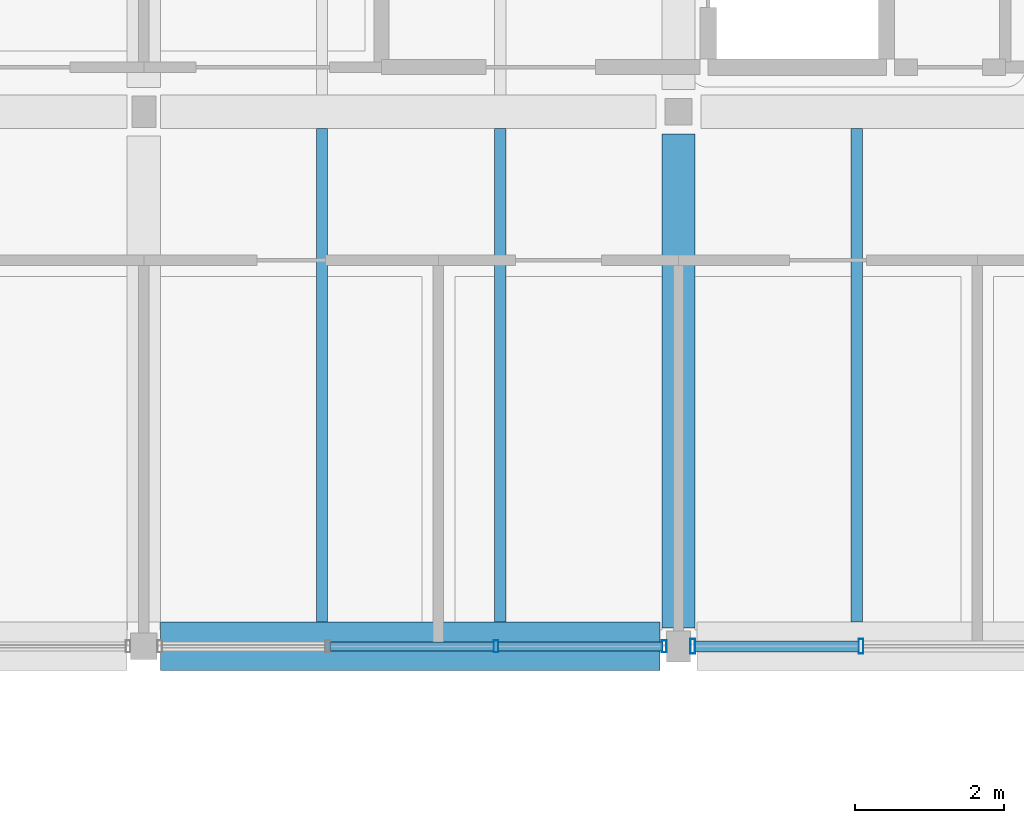
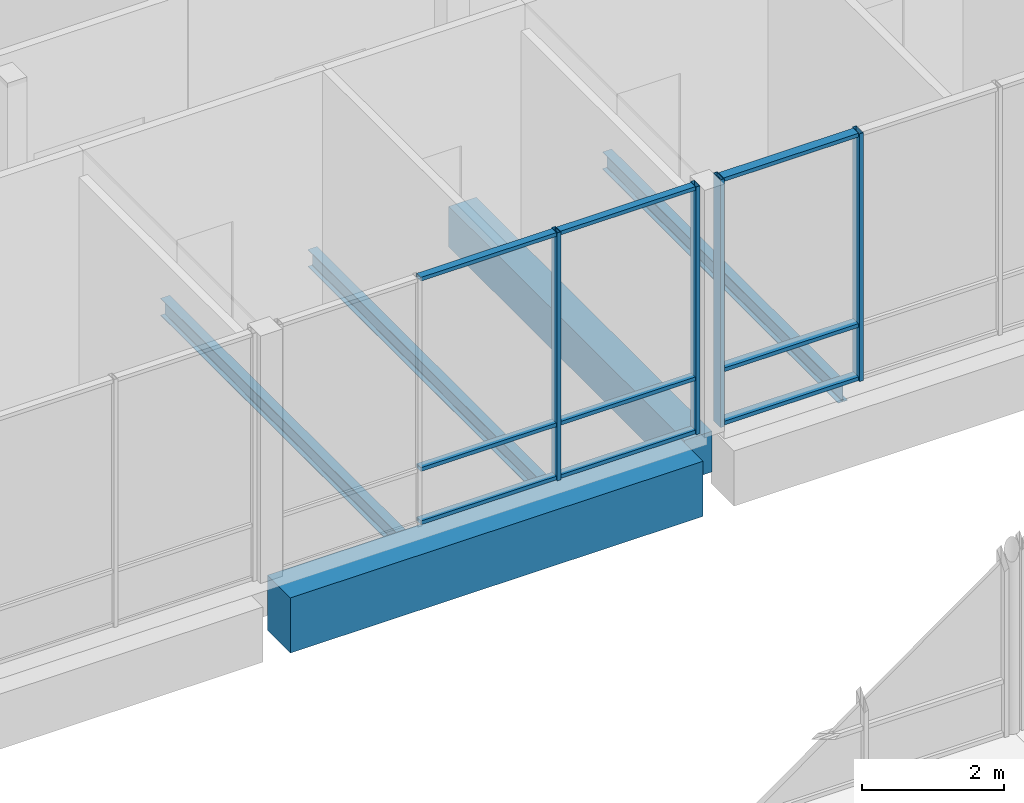
# One storey, part 48 of 146: 13 members, 5 beams, 2 elements without a shape of their own.
"""IFC4 building model written with IfcOpenShell, lengths in metres."""

from ifc_helpers import new_model, si_unit, direction, frame, origin, origin_2d, place, context, subcontext, project, spatial, rectangle, hollow_rectangle, i_section, extrude, material, material_profile, profile_set, type_object, element, aggregate, save


model = new_model("IFC4")

# Units and contexts
model_context = context("Model", 3, precision=1e-05, world=origin(), true_north=direction((0.0, 1.0)))
body_context = subcontext(model_context, "Body", "Model", "MODEL_VIEW")
ifc_project = project(units=[si_unit("LENGTHUNIT", "METRE"), si_unit("AREAUNIT", "SQUARE_METRE"), si_unit("VOLUMEUNIT", "CUBIC_METRE"), si_unit("PLANEANGLEUNIT", "RADIAN"), si_unit("MASSUNIT", "GRAM", prefix="KILO")], contexts=[model_context])

# Site, building, storey
site_placement = place(None, origin())
site = spatial("IfcSite", under=ifc_project, at=site_placement, CompositionType="ELEMENT")
building_placement = place(site_placement, origin())
building = spatial("IfcBuilding", under=site, at=building_placement, Name="Hawrajan Terrace Health Centre", CompositionType="ELEMENT")
storey_placement = place(building_placement, frame((0.0, 0.0, 4.5)))
storey = spatial("IfcBuildingStorey", under=building, at=storey_placement, Name="L01", CompositionType="ELEMENT", Elevation=4.5)

# Curtain wall, members
ifc_material_1 = material(Name="Anodized bronze aluminium and low-E solar glazing", Category="aluminium")
curtain_wall_type_1 = type_object("IfcCurtainWallType", Name="CW_Diagnostic_SeriesM2", PredefinedType="USERDEFINED", material=ifc_material_1)
curtain_wall_1_placement = place(storey_placement, origin())
curtain_wall_1 = element("IfcCurtainWall", 1, at=curtain_wall_1_placement, inside=storey, type_object=curtain_wall_type_1, Name="Curtain wall CW-L01-072", ObjectType="UNITISED CURTAIN WALL", PredefinedType="USERDEFINED")
ifc_material_2 = material(Name="Anodized bronze aluminium 6063-T6", Category="aluminium")
ifc_material_profile_1 = material_profile(ifc_material_2, hollow_rectangle(XDim=0.06494140625, YDim=0.159912109375, WallThickness=0.00390625, at=origin_2d()), Name="CW MUL 65x160")
ifc_profile_set_1 = profile_set([ifc_material_profile_1], Name="Anodized bronze aluminium 6063-T6")
member_type_1 = type_object("IfcMemberType", Name="CWMullion_65x160", PredefinedType="MULLION", material=ifc_profile_set_1)
member_1_placement = place(storey_placement, frame((45.342529296875, 45.39990234375, -0.0048828125), z_axis=(0.0, 0.0, 1.0), x_axis=(1.0, 0.0, 0.0)))
member_1 = element("IfcMember", 2, at=member_1_placement, type_object=member_type_1, Name="Mullion CW-L01-072-M3", PredefinedType="MULLION", context=body_context, shape_type="SweptSolid", body=[
    extrude(hollow_rectangle(XDim=0.06494140625, YDim=0.159912109375, WallThickness=0.00390625, at=origin_2d()), origin(), (0.0, 0.0, 1.0), 4.269775390625),
])
member_2_placement = place(storey_placement, frame((47.607421875, 45.39990234375, -0.0048828125), z_axis=(0.0, 0.0, 1.0), x_axis=(1.0, 0.0, 0.0)))
member_2 = element("IfcMember", 3, at=member_2_placement, type_object=member_type_1, Name="Mullion CW-L01-072-M4", PredefinedType="MULLION", context=body_context, shape_type="SweptSolid", body=[
    extrude(hollow_rectangle(XDim=0.06494140625, YDim=0.159912109375, WallThickness=0.00390625, at=origin_2d()), origin(), (0.0, 0.0, 1.0), 4.269775390625),
])

curtain_wall_type_2 = type_object("IfcCurtainWallType", Name="CW_Court_SeriesB1", PredefinedType="USERDEFINED", material=ifc_material_1)
curtain_wall_2_placement = place(storey_placement, origin())
curtain_wall_2 = element("IfcCurtainWall", 4, at=curtain_wall_2_placement, inside=storey, type_object=curtain_wall_type_2, Name="Curtain wall CW-L01-076", ObjectType="UNITISED CURTAIN WALL", PredefinedType="USERDEFINED")
ifc_material_profile_2 = material_profile(ifc_material_2, hollow_rectangle(XDim=0.06494140625, YDim=0.199951171875, WallThickness=0.00439453125, at=origin_2d()), Name="CW MUL 65x200")
ifc_profile_set_2 = profile_set([ifc_material_profile_2], Name="Anodized bronze aluminium 6063-T6")
member_type_2 = type_object("IfcMemberType", Name="CWMullion_65x200", PredefinedType="MULLION", material=ifc_profile_set_2)
member_3_placement = place(storey_placement, frame((47.992431640625, 45.39990234375, -0.0048828125), z_axis=(0.0, 0.0, 1.0), x_axis=(1.0, 0.0, 0.0)))
member_3 = element("IfcMember", 5, at=member_3_placement, type_object=member_type_2, Name="Mullion CW-L01-076-M1", PredefinedType="MULLION", context=body_context, shape_type="SweptSolid", body=[
    extrude(hollow_rectangle(XDim=0.06494140625, YDim=0.199951171875, WallThickness=0.00439453125, at=origin_2d()), origin(), (0.0, 0.0, 1.0), 4.269775390625),
])
member_4_placement = place(storey_placement, frame((50.257568359375, 45.39990234375, -0.0048828125), z_axis=(0.0, 0.0, 1.0), x_axis=(1.0, 0.0, 0.0)))
member_4 = element("IfcMember", 6, at=member_4_placement, type_object=member_type_2, Name="Mullion CW-L01-076-M2", PredefinedType="MULLION", context=body_context, shape_type="SweptSolid", body=[
    extrude(hollow_rectangle(XDim=0.06494140625, YDim=0.199951171875, WallThickness=0.00439453125, at=origin_2d()), origin(), (0.0, 0.0, 1.0), 4.269775390625),
])

# Member
ifc_material_profile_3 = material_profile(ifc_material_2, hollow_rectangle(XDim=0.06494140625, YDim=0.1201171875, WallThickness=0.00341796875, at=origin_2d()), Name="CW TRN 65x120")
ifc_profile_set_3 = profile_set([ifc_material_profile_3], Name="Anodized bronze aluminium 6063-T6")
member_type_3 = type_object("IfcMemberType", Name="CWTransom_65x120", PredefinedType="USERDEFINED", material=ifc_profile_set_3)
member_5_placement = place(storey_placement, frame((43.10400390625, 45.39990234375, 0.032470703125), z_axis=(1.0, 0.0, 0.0), x_axis=(0.0, 0.0, 1.0)))
member_5 = element("IfcMember", 7, at=member_5_placement, type_object=member_type_3, Name="Transom CW-L01-072-T2-1", ObjectType="TRANSOM", PredefinedType="USERDEFINED", context=body_context, shape_type="SweptSolid", body=[
    extrude(hollow_rectangle(XDim=0.06494140625, YDim=0.1201171875, WallThickness=0.00341796875, at=origin_2d()), origin(), (0.0, 0.0, 1.0), 2.2119140625),
])

member_6_placement = place(storey_placement, frame((43.10400390625, 45.39990234375, 0.949951171875), z_axis=(1.0, 0.0, 0.0), x_axis=(0.0, 0.0, 1.0)))
member_6 = element("IfcMember", 8, at=member_6_placement, type_object=member_type_3, Name="Transom CW-L01-072-T2-2", ObjectType="TRANSOM", PredefinedType="USERDEFINED", context=body_context, shape_type="SweptSolid", body=[
    extrude(hollow_rectangle(XDim=0.06494140625, YDim=0.1201171875, WallThickness=0.00341796875, at=origin_2d()), origin(), (0.0, 0.0, 1.0), 2.2119140625),
])

member_7_placement = place(storey_placement, frame((43.10400390625, 45.39990234375, 4.2275390625), z_axis=(1.0, 0.0, 0.0), x_axis=(0.0, 0.0, 1.0)))
member_7 = element("IfcMember", 9, at=member_7_placement, type_object=member_type_3, Name="Transom CW-L01-072-T2-3", ObjectType="TRANSOM", PredefinedType="USERDEFINED", context=body_context, shape_type="SweptSolid", body=[
    extrude(hollow_rectangle(XDim=0.06494140625, YDim=0.1201171875, WallThickness=0.00341796875, at=origin_2d()), origin(), (0.0, 0.0, 1.0), 2.2119140625),
])

member_8_placement = place(storey_placement, frame((45.368896484375, 45.39990234375, 0.032470703125), z_axis=(1.0, 0.0, 0.0), x_axis=(0.0, 0.0, 1.0)))
member_8 = element("IfcMember", 10, at=member_8_placement, type_object=member_type_3, Name="Transom CW-L01-072-T3-1", ObjectType="TRANSOM", PredefinedType="USERDEFINED", context=body_context, shape_type="SweptSolid", body=[
    extrude(hollow_rectangle(XDim=0.06494140625, YDim=0.1201171875, WallThickness=0.00341796875, at=origin_2d()), origin(), (0.0, 0.0, 1.0), 2.212158203125),
])

member_9_placement = place(storey_placement, frame((45.368896484375, 45.39990234375, 0.949951171875), z_axis=(1.0, 0.0, 0.0), x_axis=(0.0, 0.0, 1.0)))
member_9 = element("IfcMember", 11, at=member_9_placement, type_object=member_type_3, Name="Transom CW-L01-072-T3-2", ObjectType="TRANSOM", PredefinedType="USERDEFINED", context=body_context, shape_type="SweptSolid", body=[
    extrude(hollow_rectangle(XDim=0.06494140625, YDim=0.1201171875, WallThickness=0.00341796875, at=origin_2d()), origin(), (0.0, 0.0, 1.0), 2.212158203125),
])

member_10_placement = place(storey_placement, frame((45.368896484375, 45.39990234375, 4.2275390625), z_axis=(1.0, 0.0, 0.0), x_axis=(0.0, 0.0, 1.0)))
member_10 = element("IfcMember", 12, at=member_10_placement, type_object=member_type_3, Name="Transom CW-L01-072-T3-3", ObjectType="TRANSOM", PredefinedType="USERDEFINED", context=body_context, shape_type="SweptSolid", body=[
    extrude(hollow_rectangle(XDim=0.06494140625, YDim=0.1201171875, WallThickness=0.00341796875, at=origin_2d()), origin(), (0.0, 0.0, 1.0), 2.212158203125),
])

aggregate(curtain_wall_1, [member_1, member_2, member_5, member_6, member_7, member_8, member_9, member_10])

ifc_material_profile_4 = material_profile(ifc_material_2, hollow_rectangle(XDim=0.06494140625, YDim=0.14990234375, WallThickness=0.00390625, at=origin_2d()), Name="CW TRN 65x150")
ifc_profile_set_4 = profile_set([ifc_material_profile_4], Name="Anodized bronze aluminium 6063-T6")
member_type_4 = type_object("IfcMemberType", Name="CWTransom_65x150", PredefinedType="USERDEFINED", material=ifc_profile_set_4)
member_11_placement = place(storey_placement, frame((48.01904296875, 45.39990234375, 0.032470703125), z_axis=(1.0, 0.0, 0.0), x_axis=(0.0, 0.0, 1.0)))
member_11 = element("IfcMember", 13, at=member_11_placement, type_object=member_type_4, Name="Transom CW-L01-076-T1-1", ObjectType="TRANSOM", PredefinedType="USERDEFINED", context=body_context, shape_type="SweptSolid", body=[
    extrude(hollow_rectangle(XDim=0.06494140625, YDim=0.14990234375, WallThickness=0.00390625, at=origin_2d()), origin(), (0.0, 0.0, 1.0), 2.2119140625),
])

member_12_placement = place(storey_placement, frame((48.01904296875, 45.39990234375, 0.949951171875), z_axis=(1.0, 0.0, 0.0), x_axis=(0.0, 0.0, 1.0)))
member_12 = element("IfcMember", 14, at=member_12_placement, type_object=member_type_4, Name="Transom CW-L01-076-T1-2", ObjectType="TRANSOM", PredefinedType="USERDEFINED", context=body_context, shape_type="SweptSolid", body=[
    extrude(hollow_rectangle(XDim=0.06494140625, YDim=0.14990234375, WallThickness=0.00390625, at=origin_2d()), origin(), (0.0, 0.0, 1.0), 2.2119140625),
])

member_13_placement = place(storey_placement, frame((48.01904296875, 45.39990234375, 4.2275390625), z_axis=(1.0, 0.0, 0.0), x_axis=(0.0, 0.0, 1.0)))
member_13 = element("IfcMember", 15, at=member_13_placement, type_object=member_type_4, Name="Transom CW-L01-076-T1-3", ObjectType="TRANSOM", PredefinedType="USERDEFINED", context=body_context, shape_type="SweptSolid", body=[
    extrude(hollow_rectangle(XDim=0.06494140625, YDim=0.14990234375, WallThickness=0.00390625, at=origin_2d()), origin(), (0.0, 0.0, 1.0), 2.2119140625),
])

aggregate(curtain_wall_2, [member_3, member_4, member_11, member_12, member_13])

# Beams
ifc_material_3 = material(Name="Concrete C40/50", Category="concrete")
ifc_material_profile_5 = material_profile(ifc_material_3, rectangle(XDim=0.449951171875, YDim=0.699951171875, at=origin_2d()), Name="RC BM 450x700")
ifc_profile_set_5 = profile_set([ifc_material_profile_5], Name="Concrete C40/50")
beam_type_1 = type_object("IfcBeamType", Name="RCGirder_450x700", PredefinedType="BEAM", material=ifc_profile_set_5)
beam_1_placement = place(storey_placement, frame((47.800048828125, 45.64990234375, -0.64990234375), z_axis=(0.0, 1.0, 0.0), x_axis=(-1.0, 0.0, 0.0)))
element("IfcBeam", 16, at=beam_1_placement, inside=storey, type_object=beam_type_1, Name="Beam BM-Y-L01-W-X07-6", PredefinedType="BEAM", context=body_context, shape_type="SweptSolid", body=[
    extrude(rectangle(XDim=0.449951171875, YDim=0.699951171875, at=origin_2d()), origin(), (0.0, 0.0, 1.0), 6.650146484375),
])
ifc_material_profile_6 = material_profile(ifc_material_3, rectangle(XDim=0.64990234375, YDim=0.949951171875, at=origin_2d()), Name="RC TG 650x950")
ifc_profile_set_6 = profile_set([ifc_material_profile_6], Name="Concrete C40/50")
beam_type_2 = type_object("IfcBeamType", Name="RCTransferGirder_650x950", PredefinedType="BEAM", material=ifc_profile_set_6)
beam_2_placement = place(storey_placement, frame((40.824951171875, 45.39990234375, -0.77490234375), z_axis=(1.0, 0.0, 0.0), x_axis=(0.0, 1.0, 0.0)))
element("IfcBeam", 17, at=beam_2_placement, inside=storey, type_object=beam_type_2, Name="Beam BM-X-L01-W-06-Y6", PredefinedType="BEAM", context=body_context, shape_type="SweptSolid", body=[
    extrude(rectangle(XDim=0.64990234375, YDim=0.949951171875, at=origin_2d()), origin(), (0.0, 0.0, 1.0), 6.72509765625),
])
ifc_material_4 = material(Name="Steel S355", Category="steel")
ifc_material_profile_7 = material_profile(ifc_material_4, i_section(OverallWidth=0.14990234375, OverallDepth=0.300048828125, WebThickness=0.007080078125, FlangeThickness=0.0107421875, FilletRadius=0.014892578125, at=origin_2d()), Name="IPE 300")
ifc_profile_set_7 = profile_set([ifc_material_profile_7], Name="Steel S355")
beam_type_3 = type_object("IfcBeamType", Name="SteelBeam_IPE300", PredefinedType="JOIST", material=ifc_profile_set_7)
for number, where, z_axis, x_axis, name in (
    (18, (43.0, 45.72509765625, -0.449951171875), (0.0, 1.0, 0.0), (-1.0, 0.0, 0.0), "Secondary joist JST-L01-W-06-6-1"),
    (19, (45.39990234375, 45.72509765625, -0.449951171875), (0.0, 1.0, 0.0), (-1.0, 0.0, 0.0), "Secondary joist JST-L01-W-06-6-2"),
    (20, (50.199951171875, 45.72509765625, -0.449951171875), (0.0, 1.0, 0.0), (-1.0, 0.0, 0.0), "Secondary joist JST-L01-W-07-6-1"),
):
    element("IfcBeam", number, at=place(storey_placement, frame(where, z_axis=z_axis, x_axis=x_axis)), inside=storey, type_object=beam_type_3, Name=name, PredefinedType="JOIST", context=body_context, shape_type="SweptSolid", body=[
        extrude(i_section(OverallWidth=0.14990234375, OverallDepth=0.300048828125, WebThickness=0.007080078125, FlangeThickness=0.0107421875, FilletRadius=0.014892578125, at=origin_2d()), origin(), (0.0, 0.0, 1.0), 6.64990234375),
    ])

save(model, "model.ifc")
